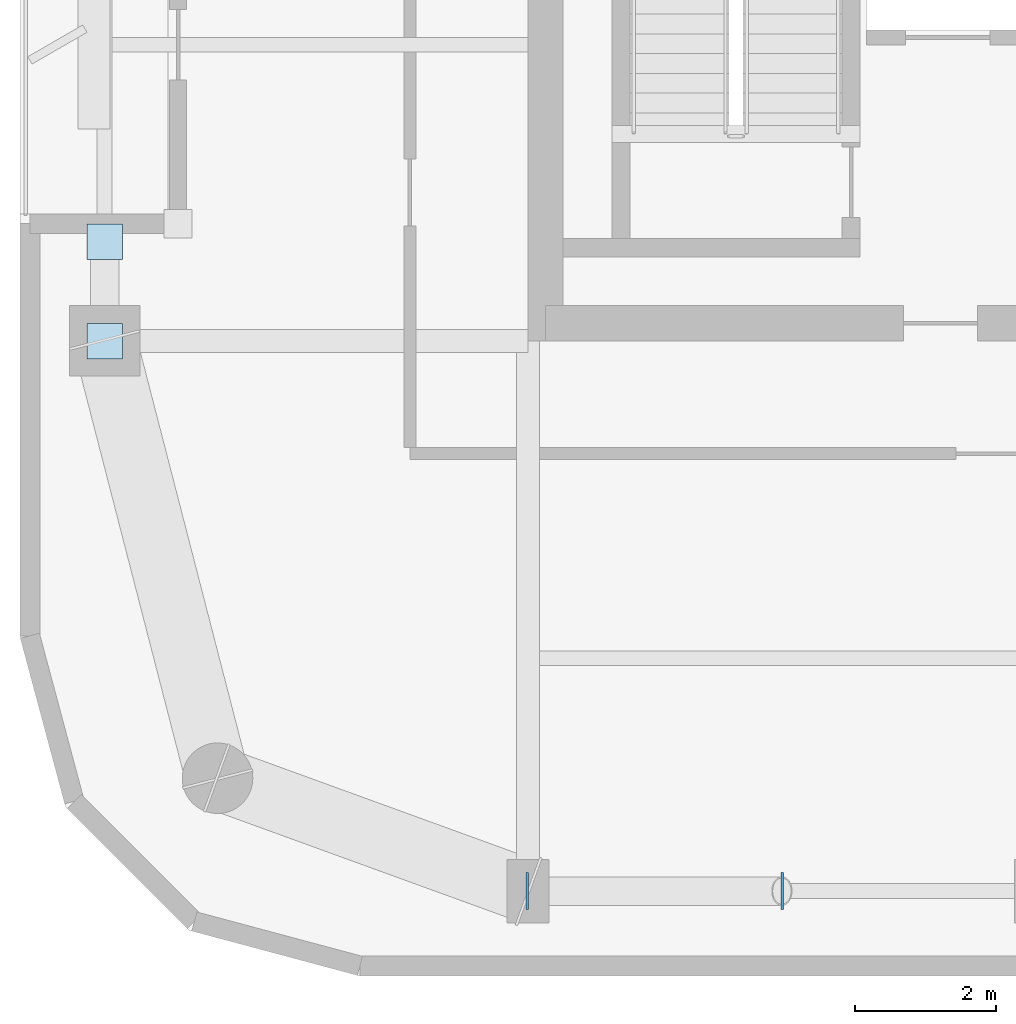
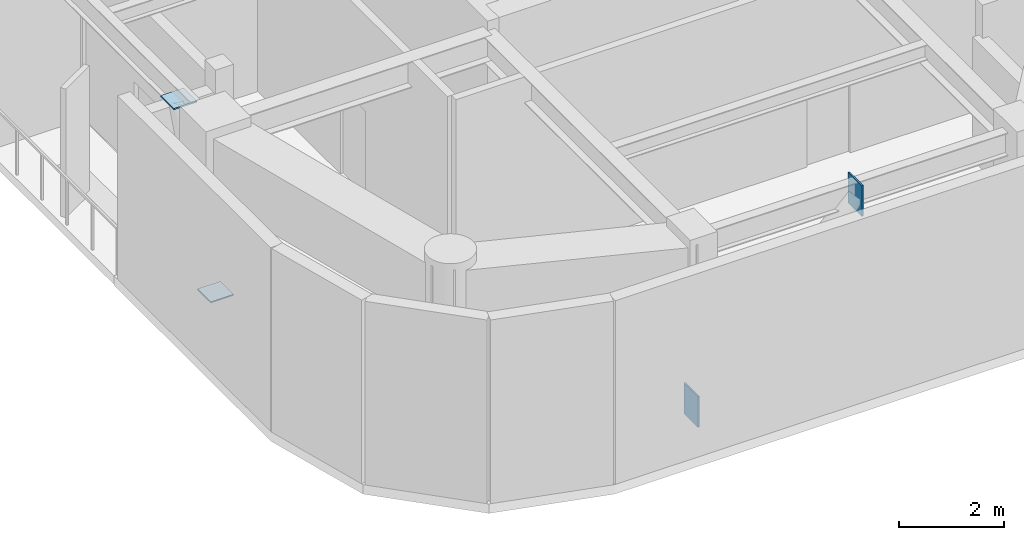
# One storey, part 7 of 14: 4 plates.
"""IFC4 building model written with IfcOpenShell, lengths in metres."""

from ifc_helpers import new_model, si_unit, direction, frame, origin, origin_2d, place, context, subcontext, project, spatial, rectangle, extrude, material, layer, layer_set, type_object, element, save


model = new_model("IFC4")

# Units and contexts
model_context = context("Model", 3, precision=1e-05, world=origin(), true_north=direction((0.0, 1.0)))
body_context = subcontext(model_context, "Body", "Model", "MODEL_VIEW")
ifc_project = project(units=[si_unit("LENGTHUNIT", "METRE"), si_unit("AREAUNIT", "SQUARE_METRE"), si_unit("VOLUMEUNIT", "CUBIC_METRE"), si_unit("PLANEANGLEUNIT", "RADIAN"), si_unit("MASSUNIT", "GRAM", prefix="KILO")], contexts=[model_context])

# Site, building, storey
site_placement = place(None, origin())
site = spatial("IfcSite", under=ifc_project, at=site_placement, CompositionType="ELEMENT")
building_placement = place(site_placement, origin())
building = spatial("IfcBuilding", under=site, at=building_placement, Name="Kiyonajd Concourse Tower", CompositionType="ELEMENT")
storey_placement = place(building_placement, frame((0.0, 0.0, 294.0)))
storey = spatial("IfcBuildingStorey", under=building, at=storey_placement, Name="L74", CompositionType="ELEMENT", Elevation=294.0)

# Plates
ifc_material = material(Name="Steel ASTM A572 Grade 50", Category="steel")
ifc_layer = layer(ifc_material, 0.028076171875)
ifc_layer_set = layer_set([ifc_layer], Name="Steel ASTM A572 Grade 50")
plate_type = type_object("IfcPlateType", Name="PL-CAP-450", PredefinedType="USERDEFINED", material=ifc_layer_set)
for number, where, z_axis, x_axis, name in (
    (1, (32.392333984375, 19.800048828125, -0.06640625), (0.0, 0.0, 1.0), (-1.0, 0.0, 0.0), "L74 Hollow Brace End Cap Plate PBS"),
    (2, (36.0078125, 19.800048828125, 3.5791015625), (0.0, 0.0, 1.0), (1.0, 0.0, 0.0), "L74 Hollow Brace Top Cap Plate PBS"),
):
    element("IfcPlate", number, at=place(storey_placement, frame(where, z_axis=z_axis, x_axis=x_axis)), inside=storey, type_object=plate_type, Name=name, ObjectType="CAP PLATE", PredefinedType="USERDEFINED", context=body_context, shape_type="SweptSolid", body=[
        extrude(rectangle(XDim=0.035888671875, YDim=0.52587890625, at=origin_2d()), origin(), (0.0, 0.0, 1.0), 0.717041015625),
    ])
for number, where, z_axis, x_axis, name in (
    (3, (26.39990234375, 27.595947265625, 0.27587890625), (0.0, 0.0, 1.0), (1.0, 0.0, 0.0), "L74 Hollow Brace End Cap Plate PBW"),
    (4, (26.39990234375, 29.00390625, 3.92626953125), (0.0, 0.0, 1.0), (1.0, 0.0, 0.0), "L74 Hollow Brace Top Cap Plate PBW"),
):
    element("IfcPlate", number, at=place(storey_placement, frame(where, z_axis=z_axis, x_axis=x_axis)), inside=storey, type_object=plate_type, Name=name, ObjectType="CAP PLATE", PredefinedType="USERDEFINED", context=body_context, shape_type="SweptSolid", body=[
        extrude(rectangle(XDim=0.506103515625, YDim=0.506103515625, at=origin_2d()), origin(), (0.0, 0.0, 1.0), 0.028076171875),
    ])

save(model, "model.ifc")
